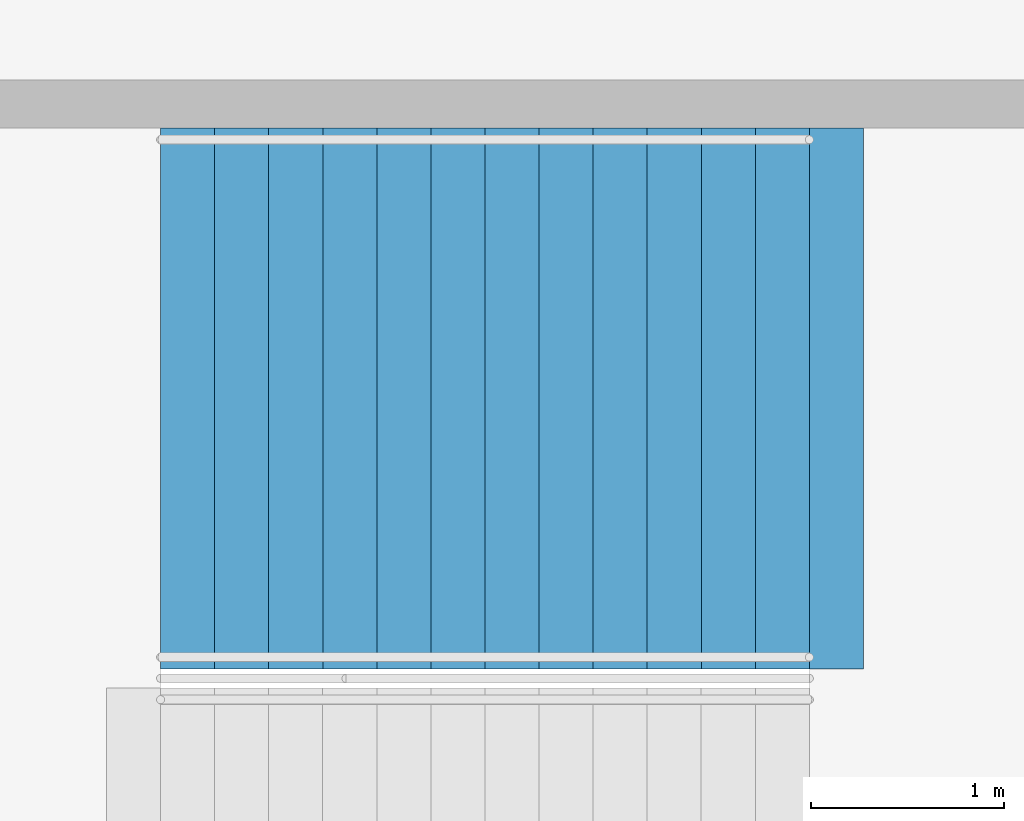
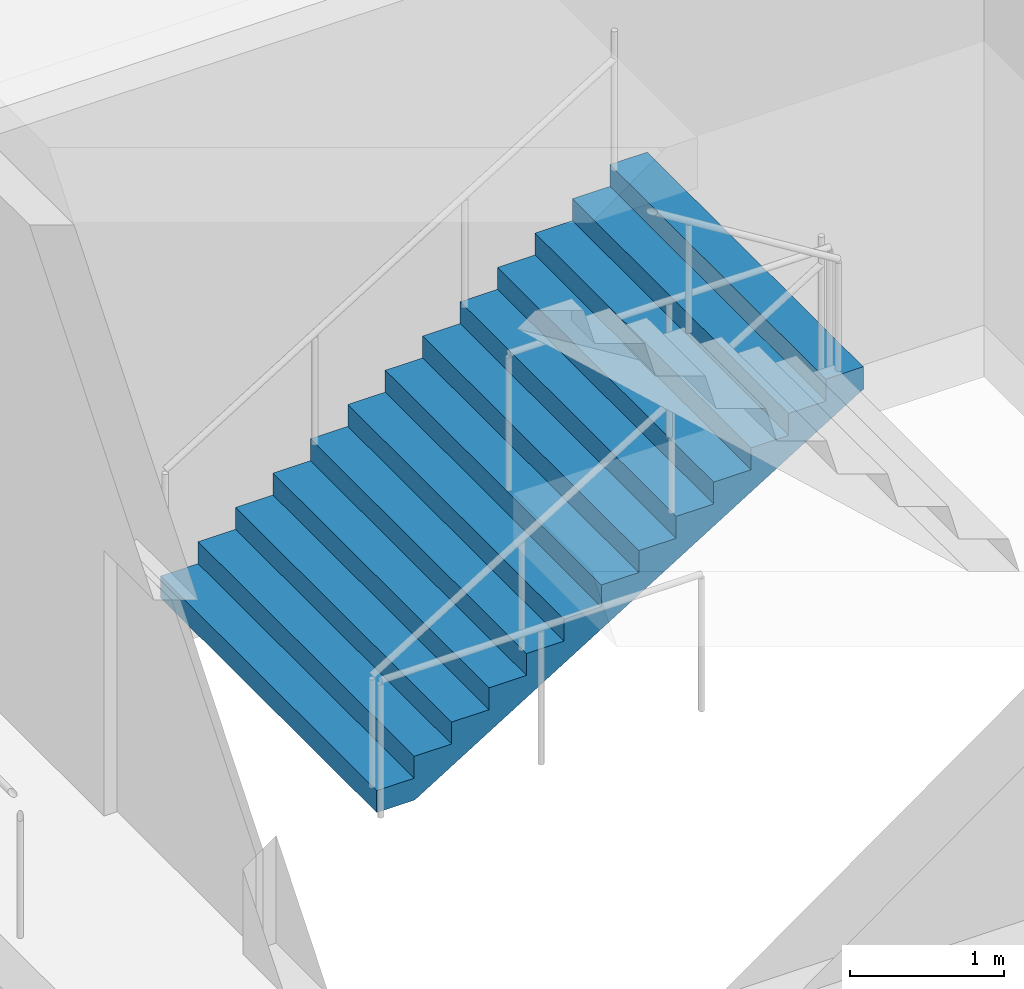
# One storey, part 155 of 177: 1 stair flight, 1 element without a shape of its own.
"""IFC4 building model written with IfcOpenShell, lengths in metres."""

from ifc_helpers import new_model, si_unit, direction, frame, origin, place, context, subcontext, project, spatial, faceted_brep, material, type_object, element, aggregate, save


model = new_model("IFC4")

# Units and contexts
model_context = context("Model", 3, precision=1e-05, world=origin(), true_north=direction((0.0, 1.0)))
body_context = subcontext(model_context, "Body", "Model", "MODEL_VIEW")
ifc_project = project(units=[si_unit("LENGTHUNIT", "METRE"), si_unit("AREAUNIT", "SQUARE_METRE"), si_unit("VOLUMEUNIT", "CUBIC_METRE"), si_unit("PLANEANGLEUNIT", "RADIAN"), si_unit("MASSUNIT", "GRAM", prefix="KILO")], contexts=[model_context])

# Site, building, storey
site_placement = place(None, origin())
site = spatial("IfcSite", under=ifc_project, at=site_placement, CompositionType="ELEMENT")
building_placement = place(site_placement, origin())
building = spatial("IfcBuilding", under=site, at=building_placement, Name="Ogive Plaza Stadium", CompositionType="ELEMENT")
storey_placement = place(building_placement, frame((0.0, 0.0, 18.0)))
storey = spatial("IfcBuildingStorey", under=building, at=storey_placement, Name="L04", CompositionType="ELEMENT", Elevation=18.0)

# Stair, stair flight
ifc_material_1 = material(Name="Concrete C40/50", Category="concrete")
stair_type = type_object("IfcStairType", Name="Exit stair", PredefinedType="STRAIGHT_RUN_STAIR", material=ifc_material_1)
stair_placement = place(storey_placement, origin())
stair = element("IfcStair", 1, at=stair_placement, inside=storey, type_object=stair_type, Name="Exit stair ST02B L04 to L05", PredefinedType="STRAIGHT_RUN_STAIR")
ifc_material_2 = material(Name="Concrete C40/50", Category="concrete")
stair_flight_type = type_object("IfcStairFlightType", Name="Exit stair flight", PredefinedType="STRAIGHT", material=ifc_material_2)
stair_flight_placement = place(storey_placement, frame((76.35009765625, 41.925048828125, 0.0), z_axis=(0.0, 0.0, 1.0), x_axis=(1.0, 0.0, 0.0)))
stair_flight = element("IfcStairFlight", 2, at=stair_flight_placement, type_object=stair_flight_type, Name="ST02B flight 1", NumberOfRisers=13, NumberOfTreads=12, PredefinedType="STRAIGHT", RiserHeight=0.173076923, TreadLength=0.28, context=body_context, shape_type="Brep", body=[
    faceted_brep([(0.28515625, -1.39990234375, 0.0), (3.639892578125, -1.39990234375, 2.07373046875), (3.639892578125, -1.39990234375, 2.25), (3.360107421875, -1.39990234375, 2.25), (3.360107421875, -1.39990234375, 2.076904296875), (3.080078125, -1.39990234375, 2.076904296875), (3.080078125, -1.39990234375, 1.90380859375), (2.800048828125, -1.39990234375, 1.90380859375), (2.800048828125, -1.39990234375, 1.730712890625), (2.52001953125, -1.39990234375, 1.730712890625), (2.52001953125, -1.39990234375, 1.5576171875), (2.239990234375, -1.39990234375, 1.5576171875), (2.239990234375, -1.39990234375, 1.384521484375), (1.9599609375, -1.39990234375, 1.384521484375), (1.9599609375, -1.39990234375, 1.21142578125), (1.679931640625, -1.39990234375, 1.21142578125), (1.679931640625, -1.39990234375, 1.03857421875), (1.39990234375, -1.39990234375, 1.03857421875), (1.39990234375, -1.39990234375, 0.865478515625), (1.1201171875, -1.39990234375, 0.865478515625), (1.1201171875, -1.39990234375, 0.6923828125), (0.840087890625, -1.39990234375, 0.6923828125), (0.840087890625, -1.39990234375, 0.519287109375), (0.56005859375, -1.39990234375, 0.519287109375), (0.56005859375, -1.39990234375, 0.34619140625), (0.280029296875, -1.39990234375, 0.34619140625), (0.280029296875, -1.39990234375, 0.173095703125), (0.0, -1.39990234375, 0.173095703125), (0.0, -1.39990234375, 0.0), (0.0, 1.39990234375, 0.0), (0.0, 1.39990234375, 0.173095703125), (0.280029296875, 1.39990234375, 0.173095703125), (0.280029296875, 1.39990234375, 0.34619140625), (0.56005859375, 1.39990234375, 0.34619140625), (0.56005859375, 1.39990234375, 0.519287109375), (0.840087890625, 1.39990234375, 0.519287109375), (0.840087890625, 1.39990234375, 0.6923828125), (1.1201171875, 1.39990234375, 0.6923828125), (1.1201171875, 1.39990234375, 0.865478515625), (1.39990234375, 1.39990234375, 0.865478515625), (1.39990234375, 1.39990234375, 1.03857421875), (1.679931640625, 1.39990234375, 1.03857421875), (1.679931640625, 1.39990234375, 1.21142578125), (1.9599609375, 1.39990234375, 1.21142578125), (1.9599609375, 1.39990234375, 1.384521484375), (2.239990234375, 1.39990234375, 1.384521484375), (2.239990234375, 1.39990234375, 1.5576171875), (2.52001953125, 1.39990234375, 1.5576171875), (2.52001953125, 1.39990234375, 1.730712890625), (2.800048828125, 1.39990234375, 1.730712890625), (2.800048828125, 1.39990234375, 1.90380859375), (3.080078125, 1.39990234375, 1.90380859375), (3.080078125, 1.39990234375, 2.076904296875), (3.360107421875, 1.39990234375, 2.076904296875), (3.360107421875, 1.39990234375, 2.25), (3.639892578125, 1.39990234375, 2.25), (3.639892578125, 1.39990234375, 2.07373046875), (0.28515625, 1.39990234375, 0.0), (0.28515625, -1.0888671875, 0.0), (3.639892578125, -1.0888671875, 2.07373046875), (0.28515625, -0.77783203125, 0.0), (3.639892578125, -0.77783203125, 2.07373046875), (0.28515625, -0.466796875, 0.0), (3.639892578125, -0.466796875, 2.07373046875), (0.28515625, -0.155517578125, 0.0), (3.639892578125, -0.155517578125, 2.07373046875), (0.28515625, 0.155517578125, 0.0), (3.639892578125, 0.155517578125, 2.07373046875), (0.28515625, 0.466796875, 0.0), (3.639892578125, 0.466796875, 2.07373046875), (0.28515625, 0.77783203125, 0.0), (3.639892578125, 0.77783203125, 2.07373046875), (0.28515625, 1.0888671875, 0.0), (3.639892578125, 1.0888671875, 2.07373046875), (3.639892578125, -1.0888671875, 2.25), (3.639892578125, -0.77783203125, 2.25), (3.639892578125, -0.466796875, 2.25), (3.639892578125, -0.155517578125, 2.25), (3.639892578125, 0.155517578125, 2.25), (3.639892578125, 0.466796875, 2.25), (3.639892578125, 0.77783203125, 2.25), (3.639892578125, 1.0888671875, 2.25), (3.360107421875, -1.0888671875, 2.25), (3.360107421875, -0.77783203125, 2.25), (3.360107421875, -0.466796875, 2.25), (3.360107421875, -0.155517578125, 2.25), (3.360107421875, 0.155517578125, 2.25), (3.360107421875, 0.466796875, 2.25), (3.360107421875, 0.77783203125, 2.25), (3.360107421875, 1.0888671875, 2.25), (3.360107421875, -1.0888671875, 2.076904296875), (3.360107421875, -0.77783203125, 2.076904296875), (3.360107421875, -0.466796875, 2.076904296875), (3.360107421875, -0.155517578125, 2.076904296875), (3.360107421875, 0.155517578125, 2.076904296875), (3.360107421875, 0.466796875, 2.076904296875), (3.360107421875, 0.77783203125, 2.076904296875), (3.360107421875, 1.0888671875, 2.076904296875), (3.080078125, -1.0888671875, 2.076904296875), (3.080078125, -0.77783203125, 2.076904296875), (3.080078125, -0.466796875, 2.076904296875), (3.080078125, -0.155517578125, 2.076904296875), (3.080078125, 0.155517578125, 2.076904296875), (3.080078125, 0.466796875, 2.076904296875), (3.080078125, 0.77783203125, 2.076904296875), (3.080078125, 1.0888671875, 2.076904296875), (3.080078125, -1.0888671875, 1.90380859375), (3.080078125, -0.77783203125, 1.90380859375), (3.080078125, -0.466796875, 1.90380859375), (3.080078125, -0.155517578125, 1.90380859375), (3.080078125, 0.155517578125, 1.90380859375), (3.080078125, 0.466796875, 1.90380859375), (3.080078125, 0.77783203125, 1.90380859375), (3.080078125, 1.0888671875, 1.90380859375), (2.800048828125, -1.0888671875, 1.90380859375), (2.800048828125, -0.77783203125, 1.90380859375), (2.800048828125, -0.466796875, 1.90380859375), (2.800048828125, -0.155517578125, 1.90380859375), (2.800048828125, 0.155517578125, 1.90380859375), (2.800048828125, 0.466796875, 1.90380859375), (2.800048828125, 0.77783203125, 1.90380859375), (2.800048828125, 1.0888671875, 1.90380859375), (2.800048828125, -1.0888671875, 1.730712890625), (2.800048828125, -0.77783203125, 1.730712890625), (2.800048828125, -0.466796875, 1.730712890625), (2.800048828125, -0.155517578125, 1.730712890625), (2.800048828125, 0.155517578125, 1.730712890625), (2.800048828125, 0.466796875, 1.730712890625), (2.800048828125, 0.77783203125, 1.730712890625), (2.800048828125, 1.0888671875, 1.730712890625), (2.52001953125, -1.0888671875, 1.730712890625), (2.52001953125, -0.77783203125, 1.730712890625), (2.52001953125, -0.466796875, 1.730712890625), (2.52001953125, -0.155517578125, 1.730712890625), (2.52001953125, 0.155517578125, 1.730712890625), (2.52001953125, 0.466796875, 1.730712890625), (2.52001953125, 0.77783203125, 1.730712890625), (2.52001953125, 1.0888671875, 1.730712890625), (2.52001953125, -1.0888671875, 1.5576171875), (2.52001953125, -0.77783203125, 1.5576171875), (2.52001953125, -0.466796875, 1.5576171875), (2.52001953125, -0.155517578125, 1.5576171875), (2.52001953125, 0.155517578125, 1.5576171875), (2.52001953125, 0.466796875, 1.5576171875), (2.52001953125, 0.77783203125, 1.5576171875), (2.52001953125, 1.0888671875, 1.5576171875), (2.239990234375, -1.0888671875, 1.5576171875), (2.239990234375, -0.77783203125, 1.5576171875), (2.239990234375, -0.466796875, 1.5576171875), (2.239990234375, -0.155517578125, 1.5576171875), (2.239990234375, 0.155517578125, 1.5576171875), (2.239990234375, 0.466796875, 1.5576171875), (2.239990234375, 0.77783203125, 1.5576171875), (2.239990234375, 1.0888671875, 1.5576171875), (2.239990234375, -1.0888671875, 1.384521484375), (2.239990234375, -0.77783203125, 1.384521484375), (2.239990234375, -0.466796875, 1.384521484375), (2.239990234375, -0.155517578125, 1.384521484375), (2.239990234375, 0.155517578125, 1.384521484375), (2.239990234375, 0.466796875, 1.384521484375), (2.239990234375, 0.77783203125, 1.384521484375), (2.239990234375, 1.0888671875, 1.384521484375), (1.9599609375, -1.0888671875, 1.384521484375), (1.9599609375, -0.77783203125, 1.384521484375), (1.9599609375, -0.466796875, 1.384521484375), (1.9599609375, -0.155517578125, 1.384521484375), (1.9599609375, 0.155517578125, 1.384521484375), (1.9599609375, 0.466796875, 1.384521484375), (1.9599609375, 0.77783203125, 1.384521484375), (1.9599609375, 1.0888671875, 1.384521484375), (1.9599609375, -1.0888671875, 1.21142578125), (1.9599609375, -0.77783203125, 1.21142578125), (1.9599609375, -0.466796875, 1.21142578125), (1.9599609375, -0.155517578125, 1.21142578125), (1.9599609375, 0.155517578125, 1.21142578125), (1.9599609375, 0.466796875, 1.21142578125), (1.9599609375, 0.77783203125, 1.21142578125), (1.9599609375, 1.0888671875, 1.21142578125), (1.679931640625, -1.0888671875, 1.21142578125), (1.679931640625, -0.77783203125, 1.21142578125), (1.679931640625, -0.466796875, 1.21142578125), (1.679931640625, -0.155517578125, 1.21142578125), (1.679931640625, 0.155517578125, 1.21142578125), (1.679931640625, 0.466796875, 1.21142578125), (1.679931640625, 0.77783203125, 1.21142578125), (1.679931640625, 1.0888671875, 1.21142578125), (1.679931640625, -1.0888671875, 1.03857421875), (1.679931640625, -0.77783203125, 1.03857421875), (1.679931640625, -0.466796875, 1.03857421875), (1.679931640625, -0.155517578125, 1.03857421875), (1.679931640625, 0.155517578125, 1.03857421875), (1.679931640625, 0.466796875, 1.03857421875), (1.679931640625, 0.77783203125, 1.03857421875), (1.679931640625, 1.0888671875, 1.03857421875), (1.39990234375, -1.0888671875, 1.03857421875), (1.39990234375, -0.77783203125, 1.03857421875), (1.39990234375, -0.466796875, 1.03857421875), (1.39990234375, -0.155517578125, 1.03857421875), (1.39990234375, 0.155517578125, 1.03857421875), (1.39990234375, 0.466796875, 1.03857421875), (1.39990234375, 0.77783203125, 1.03857421875), (1.39990234375, 1.0888671875, 1.03857421875), (1.39990234375, -1.0888671875, 0.865478515625), (1.39990234375, -0.77783203125, 0.865478515625), (1.39990234375, -0.466796875, 0.865478515625), (1.39990234375, -0.155517578125, 0.865478515625), (1.39990234375, 0.155517578125, 0.865478515625), (1.39990234375, 0.466796875, 0.865478515625), (1.39990234375, 0.77783203125, 0.865478515625), (1.39990234375, 1.0888671875, 0.865478515625), (1.1201171875, -1.0888671875, 0.865478515625), (1.1201171875, -0.77783203125, 0.865478515625), (1.1201171875, -0.466796875, 0.865478515625), (1.1201171875, -0.155517578125, 0.865478515625), (1.1201171875, 0.155517578125, 0.865478515625), (1.1201171875, 0.466796875, 0.865478515625), (1.1201171875, 0.77783203125, 0.865478515625), (1.1201171875, 1.0888671875, 0.865478515625), (1.1201171875, -1.0888671875, 0.6923828125), (1.1201171875, -0.77783203125, 0.6923828125), (1.1201171875, -0.466796875, 0.6923828125), (1.1201171875, -0.155517578125, 0.6923828125), (1.1201171875, 0.155517578125, 0.6923828125), (1.1201171875, 0.466796875, 0.6923828125), (1.1201171875, 0.77783203125, 0.6923828125), (1.1201171875, 1.0888671875, 0.6923828125), (0.840087890625, -1.0888671875, 0.6923828125), (0.840087890625, -0.77783203125, 0.6923828125), (0.840087890625, -0.466796875, 0.6923828125), (0.840087890625, -0.155517578125, 0.6923828125), (0.840087890625, 0.155517578125, 0.6923828125), (0.840087890625, 0.466796875, 0.6923828125), (0.840087890625, 0.77783203125, 0.6923828125), (0.840087890625, 1.0888671875, 0.6923828125), (0.840087890625, -1.0888671875, 0.519287109375), (0.840087890625, -0.77783203125, 0.519287109375), (0.840087890625, -0.466796875, 0.519287109375), (0.840087890625, -0.155517578125, 0.519287109375), (0.840087890625, 0.155517578125, 0.519287109375), (0.840087890625, 0.466796875, 0.519287109375), (0.840087890625, 0.77783203125, 0.519287109375), (0.840087890625, 1.0888671875, 0.519287109375), (0.56005859375, -1.0888671875, 0.519287109375), (0.56005859375, -0.77783203125, 0.519287109375), (0.56005859375, -0.466796875, 0.519287109375), (0.56005859375, -0.155517578125, 0.519287109375), (0.56005859375, 0.155517578125, 0.519287109375), (0.56005859375, 0.466796875, 0.519287109375), (0.56005859375, 0.77783203125, 0.519287109375), (0.56005859375, 1.0888671875, 0.519287109375), (0.56005859375, -1.0888671875, 0.34619140625), (0.56005859375, -0.77783203125, 0.34619140625), (0.56005859375, -0.466796875, 0.34619140625), (0.56005859375, -0.155517578125, 0.34619140625), (0.56005859375, 0.155517578125, 0.34619140625), (0.56005859375, 0.466796875, 0.34619140625), (0.56005859375, 0.77783203125, 0.34619140625), (0.56005859375, 1.0888671875, 0.34619140625), (0.280029296875, -1.0888671875, 0.34619140625), (0.280029296875, -0.77783203125, 0.34619140625), (0.280029296875, -0.466796875, 0.34619140625), (0.280029296875, -0.155517578125, 0.34619140625), (0.280029296875, 0.155517578125, 0.34619140625), (0.280029296875, 0.466796875, 0.34619140625), (0.280029296875, 0.77783203125, 0.34619140625), (0.280029296875, 1.0888671875, 0.34619140625), (0.280029296875, -1.0888671875, 0.173095703125), (0.280029296875, -0.77783203125, 0.173095703125), (0.280029296875, -0.466796875, 0.173095703125), (0.280029296875, -0.155517578125, 0.173095703125), (0.280029296875, 0.155517578125, 0.173095703125), (0.280029296875, 0.466796875, 0.173095703125), (0.280029296875, 0.77783203125, 0.173095703125), (0.280029296875, 1.0888671875, 0.173095703125), (0.0, -1.0888671875, 0.173095703125), (0.0, -0.77783203125, 0.173095703125), (0.0, -0.466796875, 0.173095703125), (0.0, -0.155517578125, 0.173095703125), (0.0, 0.155517578125, 0.173095703125), (0.0, 0.466796875, 0.173095703125), (0.0, 0.77783203125, 0.173095703125), (0.0, 1.0888671875, 0.173095703125), (0.0, -1.0888671875, 0.0), (0.0, -0.77783203125, 0.0), (0.0, -0.466796875, 0.0), (0.0, -0.155517578125, 0.0), (0.0, 0.155517578125, 0.0), (0.0, 0.466796875, 0.0), (0.0, 0.77783203125, 0.0), (0.0, 1.0888671875, 0.0)], [[[0, 1, 2, 3, 4, 5, 6, 7, 8, 9, 10, 11, 12, 13, 14, 15, 16, 17, 18, 19, 20, 21, 22, 23, 24, 25, 26, 27, 28]], [[29, 30, 31, 32, 33, 34, 35, 36, 37, 38, 39, 40, 41, 42, 43, 44, 45, 46, 47, 48, 49, 50, 51, 52, 53, 54, 55, 56, 57]], [[0, 58, 59, 1]], [[58, 60, 61, 59]], [[60, 62, 63, 61]], [[62, 64, 65, 63]], [[64, 66, 67, 65]], [[66, 68, 69, 67]], [[68, 70, 71, 69]], [[70, 72, 73, 71]], [[72, 57, 56, 73]], [[1, 59, 74, 2]], [[59, 61, 75, 74]], [[61, 63, 76, 75]], [[63, 65, 77, 76]], [[65, 67, 78, 77]], [[67, 69, 79, 78]], [[69, 71, 80, 79]], [[71, 73, 81, 80]], [[73, 56, 55, 81]], [[2, 74, 82, 3]], [[74, 75, 83, 82]], [[75, 76, 84, 83]], [[76, 77, 85, 84]], [[77, 78, 86, 85]], [[78, 79, 87, 86]], [[79, 80, 88, 87]], [[80, 81, 89, 88]], [[81, 55, 54, 89]], [[3, 82, 90, 4]], [[82, 83, 91, 90]], [[83, 84, 92, 91]], [[84, 85, 93, 92]], [[85, 86, 94, 93]], [[86, 87, 95, 94]], [[87, 88, 96, 95]], [[88, 89, 97, 96]], [[89, 54, 53, 97]], [[4, 90, 98, 5]], [[90, 91, 99, 98]], [[91, 92, 100, 99]], [[92, 93, 101, 100]], [[93, 94, 102, 101]], [[94, 95, 103, 102]], [[95, 96, 104, 103]], [[96, 97, 105, 104]], [[97, 53, 52, 105]], [[5, 98, 106, 6]], [[98, 99, 107, 106]], [[99, 100, 108, 107]], [[100, 101, 109, 108]], [[101, 102, 110, 109]], [[102, 103, 111, 110]], [[103, 104, 112, 111]], [[104, 105, 113, 112]], [[105, 52, 51, 113]], [[6, 106, 114, 7]], [[106, 107, 115, 114]], [[107, 108, 116, 115]], [[108, 109, 117, 116]], [[109, 110, 118, 117]], [[110, 111, 119, 118]], [[111, 112, 120, 119]], [[112, 113, 121, 120]], [[113, 51, 50, 121]], [[7, 114, 122, 8]], [[114, 115, 123, 122]], [[115, 116, 124, 123]], [[116, 117, 125, 124]], [[117, 118, 126, 125]], [[118, 119, 127, 126]], [[119, 120, 128, 127]], [[120, 121, 129, 128]], [[121, 50, 49, 129]], [[8, 122, 130, 9]], [[122, 123, 131, 130]], [[123, 124, 132, 131]], [[124, 125, 133, 132]], [[125, 126, 134, 133]], [[126, 127, 135, 134]], [[127, 128, 136, 135]], [[128, 129, 137, 136]], [[129, 49, 48, 137]], [[9, 130, 138, 10]], [[130, 131, 139, 138]], [[131, 132, 140, 139]], [[132, 133, 141, 140]], [[133, 134, 142, 141]], [[134, 135, 143, 142]], [[135, 136, 144, 143]], [[136, 137, 145, 144]], [[137, 48, 47, 145]], [[10, 138, 146, 11]], [[138, 139, 147, 146]], [[139, 140, 148, 147]], [[140, 141, 149, 148]], [[141, 142, 150, 149]], [[142, 143, 151, 150]], [[143, 144, 152, 151]], [[144, 145, 153, 152]], [[145, 47, 46, 153]], [[11, 146, 154, 12]], [[146, 147, 155, 154]], [[147, 148, 156, 155]], [[148, 149, 157, 156]], [[149, 150, 158, 157]], [[150, 151, 159, 158]], [[151, 152, 160, 159]], [[152, 153, 161, 160]], [[153, 46, 45, 161]], [[12, 154, 162, 13]], [[154, 155, 163, 162]], [[155, 156, 164, 163]], [[156, 157, 165, 164]], [[157, 158, 166, 165]], [[158, 159, 167, 166]], [[159, 160, 168, 167]], [[160, 161, 169, 168]], [[161, 45, 44, 169]], [[13, 162, 170, 14]], [[162, 163, 171, 170]], [[163, 164, 172, 171]], [[164, 165, 173, 172]], [[165, 166, 174, 173]], [[166, 167, 175, 174]], [[167, 168, 176, 175]], [[168, 169, 177, 176]], [[169, 44, 43, 177]], [[14, 170, 178, 15]], [[170, 171, 179, 178]], [[171, 172, 180, 179]], [[172, 173, 181, 180]], [[173, 174, 182, 181]], [[174, 175, 183, 182]], [[175, 176, 184, 183]], [[176, 177, 185, 184]], [[177, 43, 42, 185]], [[15, 178, 186, 16]], [[178, 179, 187, 186]], [[179, 180, 188, 187]], [[180, 181, 189, 188]], [[181, 182, 190, 189]], [[182, 183, 191, 190]], [[183, 184, 192, 191]], [[184, 185, 193, 192]], [[185, 42, 41, 193]], [[16, 186, 194, 17]], [[186, 187, 195, 194]], [[187, 188, 196, 195]], [[188, 189, 197, 196]], [[189, 190, 198, 197]], [[190, 191, 199, 198]], [[191, 192, 200, 199]], [[192, 193, 201, 200]], [[193, 41, 40, 201]], [[17, 194, 202, 18]], [[194, 195, 203, 202]], [[195, 196, 204, 203]], [[196, 197, 205, 204]], [[197, 198, 206, 205]], [[198, 199, 207, 206]], [[199, 200, 208, 207]], [[200, 201, 209, 208]], [[201, 40, 39, 209]], [[18, 202, 210, 19]], [[202, 203, 211, 210]], [[203, 204, 212, 211]], [[204, 205, 213, 212]], [[205, 206, 214, 213]], [[206, 207, 215, 214]], [[207, 208, 216, 215]], [[208, 209, 217, 216]], [[209, 39, 38, 217]], [[19, 210, 218, 20]], [[210, 211, 219, 218]], [[211, 212, 220, 219]], [[212, 213, 221, 220]], [[213, 214, 222, 221]], [[214, 215, 223, 222]], [[215, 216, 224, 223]], [[216, 217, 225, 224]], [[217, 38, 37, 225]], [[20, 218, 226, 21]], [[218, 219, 227, 226]], [[219, 220, 228, 227]], [[220, 221, 229, 228]], [[221, 222, 230, 229]], [[222, 223, 231, 230]], [[223, 224, 232, 231]], [[224, 225, 233, 232]], [[225, 37, 36, 233]], [[21, 226, 234, 22]], [[226, 227, 235, 234]], [[227, 228, 236, 235]], [[228, 229, 237, 236]], [[229, 230, 238, 237]], [[230, 231, 239, 238]], [[231, 232, 240, 239]], [[232, 233, 241, 240]], [[233, 36, 35, 241]], [[22, 234, 242, 23]], [[234, 235, 243, 242]], [[235, 236, 244, 243]], [[236, 237, 245, 244]], [[237, 238, 246, 245]], [[238, 239, 247, 246]], [[239, 240, 248, 247]], [[240, 241, 249, 248]], [[241, 35, 34, 249]], [[23, 242, 250, 24]], [[242, 243, 251, 250]], [[243, 244, 252, 251]], [[244, 245, 253, 252]], [[245, 246, 254, 253]], [[246, 247, 255, 254]], [[247, 248, 256, 255]], [[248, 249, 257, 256]], [[249, 34, 33, 257]], [[24, 250, 258, 25]], [[250, 251, 259, 258]], [[251, 252, 260, 259]], [[252, 253, 261, 260]], [[253, 254, 262, 261]], [[254, 255, 263, 262]], [[255, 256, 264, 263]], [[256, 257, 265, 264]], [[257, 33, 32, 265]], [[25, 258, 266, 26]], [[258, 259, 267, 266]], [[259, 260, 268, 267]], [[260, 261, 269, 268]], [[261, 262, 270, 269]], [[262, 263, 271, 270]], [[263, 264, 272, 271]], [[264, 265, 273, 272]], [[265, 32, 31, 273]], [[26, 266, 274, 27]], [[266, 267, 275, 274]], [[267, 268, 276, 275]], [[268, 269, 277, 276]], [[269, 270, 278, 277]], [[270, 271, 279, 278]], [[271, 272, 280, 279]], [[272, 273, 281, 280]], [[273, 31, 30, 281]], [[27, 274, 282, 28]], [[274, 275, 283, 282]], [[275, 276, 284, 283]], [[276, 277, 285, 284]], [[277, 278, 286, 285]], [[278, 279, 287, 286]], [[279, 280, 288, 287]], [[280, 281, 289, 288]], [[281, 30, 29, 289]], [[28, 282, 58, 0]], [[282, 283, 60, 58]], [[283, 284, 62, 60]], [[284, 285, 64, 62]], [[285, 286, 66, 64]], [[286, 287, 68, 66]], [[287, 288, 70, 68]], [[288, 289, 72, 70]], [[289, 29, 57, 72]]]),
])
aggregate(stair, [stair_flight])

save(model, "model.ifc")
